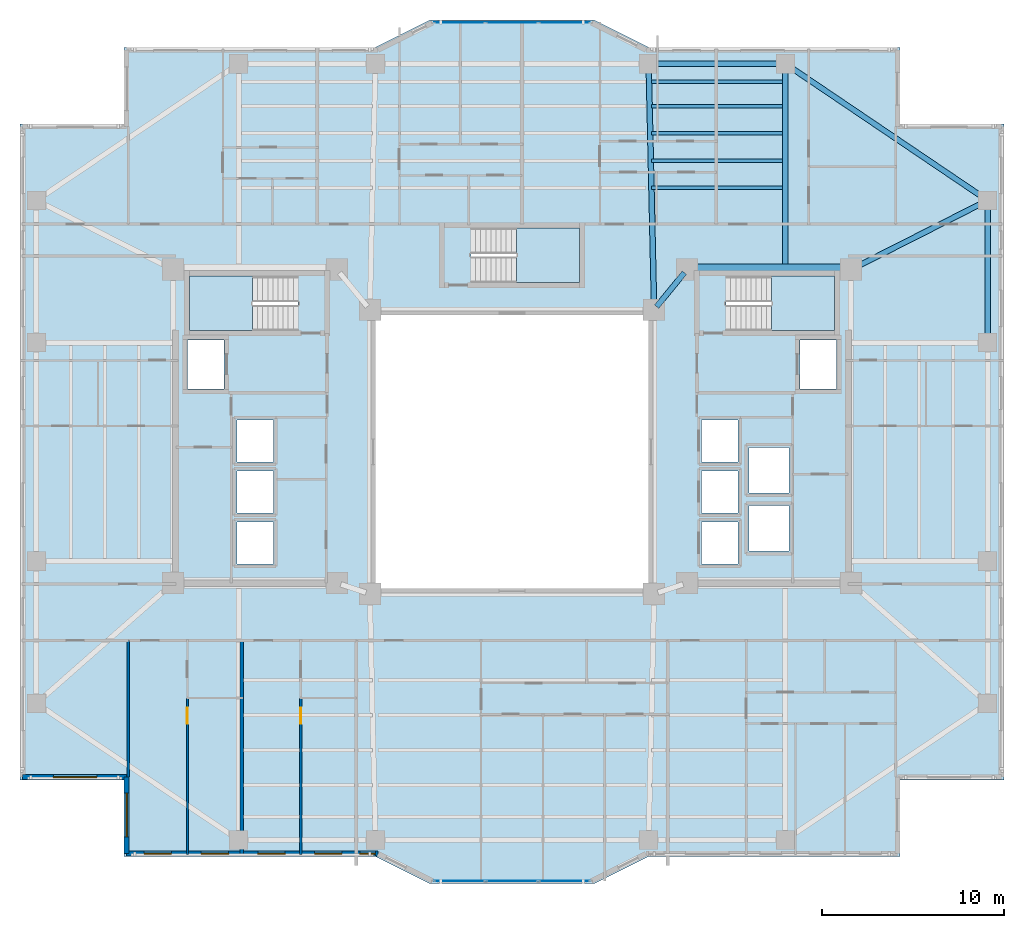
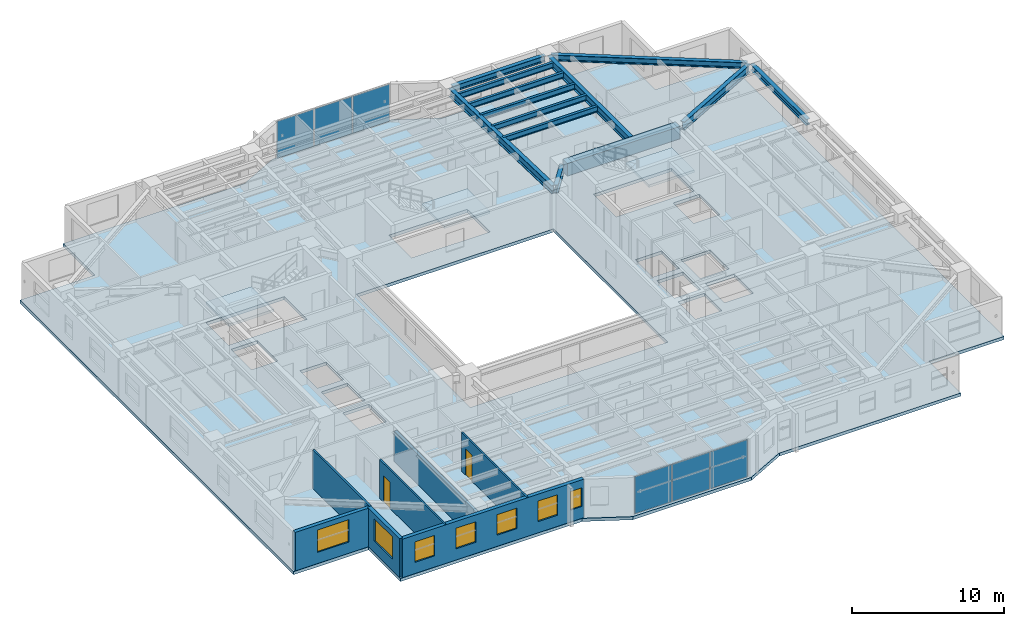
# One storey, part 5 of 19: 13 beams, 7 walls, 7 windows, 6 plates, 4 slabs, 2 doors, 9 openings, 5 elements without a shape of their own.
"""IFC4 building model written with IfcOpenShell, lengths in metres."""

from ifc_helpers import new_model, si_unit, direction, frame, frame_2d, origin, origin_2d, place, context, subcontext, project, spatial, polyline, rectangle, i_section, outline, extrude, material, layer, layer_set, material_profile, profile_set, type_object, element, fill, aggregate, save


model = new_model("IFC4")

# Units and contexts
model_context = context("Model", 3, precision=1e-05, world=origin(), true_north=direction((0.0, 1.0)))
body_context = subcontext(model_context, "Body", "Model", "MODEL_VIEW")
ifc_project = project(units=[si_unit("LENGTHUNIT", "METRE"), si_unit("AREAUNIT", "SQUARE_METRE"), si_unit("VOLUMEUNIT", "CUBIC_METRE"), si_unit("PLANEANGLEUNIT", "RADIAN"), si_unit("MASSUNIT", "GRAM", prefix="KILO")], contexts=[model_context])

# Site, building, storey
site_placement = place(None, origin())
site = spatial("IfcSite", under=ifc_project, at=site_placement, CompositionType="ELEMENT")
building_placement = place(site_placement, origin())
building = spatial("IfcBuilding", under=site, at=building_placement, Name="Tarnavaz Court Tower", CompositionType="ELEMENT")
storey_placement = place(building_placement, frame((0.0, 0.0, 111.800048828125)))
storey = spatial("IfcBuildingStorey", under=building, at=storey_placement, Name="L30", CompositionType="ELEMENT", Elevation=111.800048828125)

# Beams
ifc_material_1 = material(Name="Concrete C60/75", Category="concrete")
ifc_material_profile_1 = material_profile(ifc_material_1, rectangle(XDim=0.60009765625, YDim=1.0, at=origin_2d()), Name="RC 600X1000")
ifc_profile_set_1 = profile_set([ifc_material_profile_1], Name="Concrete C60/75")
beam_type_1 = type_object("IfcBeamType", Name="BM-CB1000", PredefinedType="LINTEL", material=ifc_profile_set_1)
beam_1_placement = place(storey_placement, frame((18.3798828125, 10.0, 2.599853515625), z_axis=(-1.0, 0.0, 0.0), x_axis=(0.0, -1.0, 0.0)))
element("IfcBeam", 1, at=beam_1_placement, inside=storey, type_object=beam_type_1, Name="L30 Beam IN-CE-NO-CE-NI", PredefinedType="LINTEL", context=body_context, shape_type="SweptSolid", body=[
    extrude(rectangle(XDim=0.60009765625, YDim=1.0, at=origin_2d()), origin(), (0.0, 0.0, 1.0), 8.559814453125),
])
ifc_material_2 = material(Name="Steel S355", Category="steel")
ifc_material_profile_2 = material_profile(ifc_material_2, i_section(OverallWidth=0.300048828125, OverallDepth=0.64990234375, WebThickness=0.01611328125, FlangeThickness=0.031005859375, FilletRadius=0.027099609375, at=origin_2d()), Name="HEB 650")
ifc_profile_set_2 = profile_set([ifc_material_profile_2], Name="Steel S355")
beam_type_2 = type_object("IfcBeamType", Name="BM-G-HEB650", PredefinedType="USERDEFINED", material=ifc_profile_set_2)
beam_2_placement = place(storey_placement, frame((9.460693359375, 9.82958984375, 2.77490234375), z_axis=(-0.633282058357, -0.773921077735, 0.0), x_axis=(0.773921077735, -0.633282058357, 0.0)))
element("IfcBeam", 2, at=beam_2_placement, inside=storey, type_object=beam_type_2, Name="L30 Beam IN-CE-NI-IW-NE", ObjectType="GIRDER", PredefinedType="USERDEFINED", context=body_context, shape_type="SweptSolid", body=[
    extrude(i_section(OverallWidth=0.300048828125, OverallDepth=0.64990234375, WebThickness=0.01611328125, FlangeThickness=0.031005859375, FilletRadius=0.027099609375, at=origin_2d()), origin(), (0.0, 0.0, 1.0), 2.402587890625),
])
beam_3_placement = place(storey_placement, frame((7.795166015625, 8.02001953125, 2.77490234375), z_axis=(-0.022221303469, 0.99975307635, 0.0), x_axis=(-0.99975307635, -0.022221303469, 0.0)))
element("IfcBeam", 3, at=beam_3_placement, inside=storey, type_object=beam_type_2, Name="L30 Beam RG-03", ObjectType="GIRDER", PredefinedType="USERDEFINED", context=body_context, shape_type="SweptSolid", body=[
    extrude(i_section(OverallWidth=0.300048828125, OverallDepth=0.64990234375, WebThickness=0.01611328125, FlangeThickness=0.031005859375, FilletRadius=0.027099609375, at=origin_2d()), origin(), (0.0, 0.0, 1.0), 13.063232421875),
])
beam_4_placement = place(storey_placement, frame((15.0, 10.0400390625, 2.77490234375), z_axis=(0.0, 1.0, 0.0), x_axis=(-1.0, 0.0, 0.0)))
element("IfcBeam", 4, at=beam_4_placement, inside=storey, type_object=beam_type_2, Name="L30 Beam RG-04", ObjectType="GIRDER", PredefinedType="USERDEFINED", context=body_context, shape_type="SweptSolid", body=[
    extrude(i_section(OverallWidth=0.300048828125, OverallDepth=0.64990234375, WebThickness=0.01611328125, FlangeThickness=0.031005859375, FilletRadius=0.027099609375, at=origin_2d()), origin(), (0.0, 0.0, 1.0), 11.0400390625),
])
beam_5_placement = place(storey_placement, frame((18.796142578125, 10.099365234375, 2.77490234375), z_axis=(0.892030669981, 0.451974870776, 0.0), x_axis=(-0.451974870776, 0.892030669981, 0.0)))
element("IfcBeam", 5, at=beam_5_placement, inside=storey, type_object=beam_type_2, Name="L30 Beam RG-12", ObjectType="GIRDER", PredefinedType="USERDEFINED", context=body_context, shape_type="SweptSolid", body=[
    extrude(i_section(OverallWidth=0.300048828125, OverallDepth=0.64990234375, WebThickness=0.01611328125, FlangeThickness=0.031005859375, FilletRadius=0.027099609375, at=origin_2d()), origin(), (0.0, 0.0, 1.0), 7.968017578125),
])
ifc_material_profile_3 = material_profile(ifc_material_2, i_section(OverallWidth=0.18994140625, OverallDepth=0.449951171875, WebThickness=0.009521484375, FlangeThickness=0.0146484375, FilletRadius=0.02099609375, at=origin_2d()), Name="IPE 450")
ifc_profile_set_3 = profile_set([ifc_material_profile_3], Name="Steel S355")
beam_type_3 = type_object("IfcBeamType", Name="BM-J-IPE450", PredefinedType="JOIST", material=ifc_profile_set_3)
for number, where, z_axis, x_axis, name in (
    (6, (7.64990234375, 14.493896484375, 2.875), (1.0, 0.0, 0.0), (0.0, 1.0, 0.0), "L30 Beam JN1-3"),
    (7, (7.64990234375, 15.988037109375, 2.875), (1.0, 0.0, 0.0), (0.0, 1.0, 0.0), "L30 Beam JN2-3"),
    (8, (7.64990234375, 17.48193359375, 2.875), (1.0, 0.0, 0.0), (0.0, 1.0, 0.0), "L30 Beam JN3-3"),
    (9, (7.64990234375, 18.97607421875, 2.875), (1.0, 0.0, 0.0), (0.0, 1.0, 0.0), "L30 Beam JN4-3"),
    (10, (7.64990234375, 20.303955078125, 2.875), (1.0, 0.0, 0.0), (0.0, 1.0, 0.0), "L30 Beam JN5-3"),
):
    element("IfcBeam", number, at=place(storey_placement, frame(where, z_axis=z_axis, x_axis=x_axis)), inside=storey, type_object=beam_type_3, Name=name, PredefinedType="JOIST", context=body_context, shape_type="SweptSolid", body=[
        extrude(i_section(OverallWidth=0.18994140625, OverallDepth=0.449951171875, WebThickness=0.009521484375, FlangeThickness=0.0146484375, FilletRadius=0.02099609375, at=origin_2d()), origin(), (0.0, 0.0, 1.0), 7.2001953125),
    ])
ifc_material_profile_4 = material_profile(ifc_material_2, i_section(OverallWidth=0.300048828125, OverallDepth=0.489990234375, WebThickness=0.011962890625, FlangeThickness=0.02294921875, FilletRadius=0.027099609375, at=origin_2d()), Name="HEA 500")
ifc_profile_set_4 = profile_set([ifc_material_profile_4], Name="Steel S355")
beam_type_4 = type_object("IfcBeamType", Name="BM-SP-HEA500", PredefinedType="SPANDREL", material=ifc_profile_set_4)
beam_6_placement = place(storey_placement, frame((7.719970703125, 21.300048828125, 2.85498046875), z_axis=(1.0, 0.0, 0.0), x_axis=(0.0, 1.0, 0.0)))
element("IfcBeam", 11, at=beam_6_placement, inside=storey, type_object=beam_type_4, Name="L30 Beam PR-PN-3-PN-4", PredefinedType="SPANDREL", context=body_context, shape_type="SweptSolid", body=[
    extrude(i_section(OverallWidth=0.300048828125, OverallDepth=0.489990234375, WebThickness=0.011962890625, FlangeThickness=0.02294921875, FilletRadius=0.027099609375, at=origin_2d()), origin(), (0.0, 0.0, 1.0), 7.06005859375),
])
beam_7_placement = place(storey_placement, frame((26.10009765625, 6.219970703125, 2.85498046875), z_axis=(0.0, 1.0, 0.0), x_axis=(-1.0, 0.0, 0.0)))
element("IfcBeam", 12, at=beam_7_placement, inside=storey, type_object=beam_type_4, Name="L30 Beam PR-PE-3-PE-4", PredefinedType="SPANDREL", context=body_context, shape_type="SweptSolid", body=[
    extrude(i_section(OverallWidth=0.300048828125, OverallDepth=0.489990234375, WebThickness=0.011962890625, FlangeThickness=0.02294921875, FilletRadius=0.027099609375, at=origin_2d()), origin(), (0.0, 0.0, 1.0), 7.360107421875),
])
beam_8_placement = place(storey_placement, frame((15.182373046875, 21.1767578125, 2.85498046875), z_axis=(0.828587314918, -0.559859858854, 0.0), x_axis=(0.559859858854, 0.828587314918, 0.0)))
element("IfcBeam", 13, at=beam_8_placement, inside=storey, type_object=beam_type_4, Name="L30 Beam PR-PN-4-PE-4", PredefinedType="SPANDREL", context=body_context, shape_type="SweptSolid", body=[
    extrude(i_section(OverallWidth=0.300048828125, OverallDepth=0.489990234375, WebThickness=0.011962890625, FlangeThickness=0.02294921875, FilletRadius=0.027099609375, at=origin_2d()), origin(), (0.0, 0.0, 1.0), 12.956298828125),
])

# Curtain wall, plates
ifc_material_3 = material(Name="Anodised Aluminium 6063-T6 and Solar Low-E Glazing", Category="aluminium")
ifc_layer_1 = layer(ifc_material_3, 0.179931640625)
ifc_layer_set_1 = layer_set([ifc_layer_1], Name="Anodised Aluminium 6063-T6 and Solar Low-E Glazing")
curtain_wall_type = type_object("IfcCurtainWallType", Name="CW-SYS-02", PredefinedType="NOTDEFINED", material=ifc_layer_set_1)
curtain_wall_1_placement = place(storey_placement, origin())
curtain_wall_1 = element("IfcCurtainWall", 14, at=curtain_wall_1_placement, inside=storey, type_object=curtain_wall_type, Name="L30 Iwan Prow Curtain Wall 7", PredefinedType="NOTDEFINED")
ifc_material_4 = material(Name="Double-Glazed Solar Low-E Glass", Category="glass")
ifc_layer_2 = layer(ifc_material_4, 0.028076171875)
ifc_layer_set_2 = layer_set([ifc_layer_2], Name="Double-Glazed Solar Low-E Glass")
plate_type = type_object("IfcPlateType", Name="CW-PAN-GLZ28", PredefinedType="CURTAIN_PANEL", material=ifc_layer_set_2)
plate_1_placement = place(storey_placement, frame((-2.88134765625, 23.550048828125, 0.06494140625), z_axis=(0.0, 0.0, 1.0), x_axis=(1.0, 0.0, 0.0)))
plate_1 = element("IfcPlate", 15, at=plate_1_placement, type_object=plate_type, Name="CW panel 1.1", PredefinedType="CURTAIN_PANEL", context=body_context, shape_type="SweptSolid", body=[
    extrude(rectangle(XDim=2.78759765625, YDim=0.028076171875, at=origin_2d()), origin(), (0.0, 0.0, 1.0), 2.969970703125),
])
plate_2_placement = place(storey_placement, frame((0.0, 23.550048828125, 0.06494140625), z_axis=(0.0, 0.0, 1.0), x_axis=(1.0, 0.0, 0.0)))
plate_2 = element("IfcPlate", 16, at=plate_2_placement, type_object=plate_type, Name="CW panel 2.1", PredefinedType="CURTAIN_PANEL", context=body_context, shape_type="SweptSolid", body=[
    extrude(rectangle(XDim=2.824951171875, YDim=0.028076171875, at=origin_2d()), origin(), (0.0, 0.0, 1.0), 2.969970703125),
])
plate_3_placement = place(storey_placement, frame((2.88134765625, 23.550048828125, 0.06494140625), z_axis=(0.0, 0.0, 1.0), x_axis=(1.0, 0.0, 0.0)))
plate_3 = element("IfcPlate", 17, at=plate_3_placement, type_object=plate_type, Name="CW panel 3.1", PredefinedType="CURTAIN_PANEL", context=body_context, shape_type="SweptSolid", body=[
    extrude(rectangle(XDim=2.78759765625, YDim=0.028076171875, at=origin_2d()), origin(), (0.0, 0.0, 1.0), 2.969970703125),
])
aggregate(curtain_wall_1, [plate_1, plate_2, plate_3])

curtain_wall_2_placement = place(storey_placement, origin())
curtain_wall_2 = element("IfcCurtainWall", 18, at=curtain_wall_2_placement, inside=storey, type_object=curtain_wall_type, Name="L30 Iwan Prow Curtain Wall 17", PredefinedType="NOTDEFINED")
plate_4_placement = place(storey_placement, frame((2.88134765625, -23.550048828125, 0.06494140625), z_axis=(0.0, 0.0, 1.0), x_axis=(-1.0, 0.0, 0.0)))
plate_4 = element("IfcPlate", 19, at=plate_4_placement, type_object=plate_type, Name="CW panel 1.1", PredefinedType="CURTAIN_PANEL", context=body_context, shape_type="SweptSolid", body=[
    extrude(rectangle(XDim=2.78759765625, YDim=0.028076171875, at=origin_2d()), origin(), (0.0, 0.0, 1.0), 2.969970703125),
])
plate_5_placement = place(storey_placement, frame((0.0, -23.550048828125, 0.06494140625), z_axis=(0.0, 0.0, 1.0), x_axis=(-1.0, 0.0, 0.0)))
plate_5 = element("IfcPlate", 20, at=plate_5_placement, type_object=plate_type, Name="CW panel 2.1", PredefinedType="CURTAIN_PANEL", context=body_context, shape_type="SweptSolid", body=[
    extrude(rectangle(XDim=2.824951171875, YDim=0.028076171875, at=origin_2d()), origin(), (0.0, 0.0, 1.0), 2.969970703125),
])
plate_6_placement = place(storey_placement, frame((-2.88134765625, -23.550048828125, 0.06494140625), z_axis=(0.0, 0.0, 1.0), x_axis=(-1.0, 0.0, 0.0)))
plate_6 = element("IfcPlate", 21, at=plate_6_placement, type_object=plate_type, Name="CW panel 3.1", PredefinedType="CURTAIN_PANEL", context=body_context, shape_type="SweptSolid", body=[
    extrude(rectangle(XDim=2.78759765625, YDim=0.028076171875, at=origin_2d()), origin(), (0.0, 0.0, 1.0), 2.969970703125),
])
aggregate(curtain_wall_2, [plate_4, plate_5, plate_6])

# Stair, slab
ifc_material_5 = material(Name="Concrete C40/50", Category="concrete")
stair_type = type_object("IfcStairType", Name="ST-TWR-20R", PredefinedType="HALF_TURN_STAIR", material=ifc_material_5)
stair_1_placement = place(storey_placement, origin())
stair_1 = element("IfcStair", 22, at=stair_1_placement, inside=storey, type_object=stair_type, Name="L30 West Core Pressurized Exit Stair ST-W1", PredefinedType="HALF_TURN_STAIR")
ifc_layer_3 = layer(ifc_material_5, 0.199951171875)
ifc_layer_set_3 = layer_set([ifc_layer_3], Name="Concrete C40/50")
slab_type_1 = type_object("IfcSlabType", Name="SL-LAND-200", PredefinedType="LANDING", material=ifc_layer_set_3)
slab_1_placement = place(storey_placement, frame((0.0, 0.0, 1.474853515625)))
slab_1 = element("IfcSlab", 23, at=slab_1_placement, type_object=slab_type_1, Name="ST-W1 landing 1", PredefinedType="LANDING", context=body_context, shape_type="SweptSolid", body=[
    extrude(outline(polyline([(-14.239990234375, 9.639892578125), (-17.699951171875, 9.639892578125), (-17.699951171875, 6.64990234375), (-14.239990234375, 6.64990234375), (-14.239990234375, 9.639892578125)])), origin(), (0.0, 0.0, 1.0), 0.2001953125),
])
aggregate(stair_1, [slab_1])

stair_2_placement = place(storey_placement, origin())
stair_2 = element("IfcStair", 24, at=stair_2_placement, inside=storey, type_object=stair_type, Name="L30 East Core Pressurized Exit Stair ST-E1", PredefinedType="HALF_TURN_STAIR")
slab_2_placement = place(storey_placement, frame((0.0, 0.0, 1.474853515625)))
slab_2 = element("IfcSlab", 25, at=slab_2_placement, type_object=slab_type_1, Name="ST-E1 landing 1", PredefinedType="LANDING", context=body_context, shape_type="SweptSolid", body=[
    extrude(outline(polyline([(14.239990234375, 6.64990234375), (17.699951171875, 6.64990234375), (17.699951171875, 9.639892578125), (14.239990234375, 9.639892578125), (14.239990234375, 6.64990234375)])), origin(), (0.0, 0.0, 1.0), 0.2001953125),
])
aggregate(stair_2, [slab_2])

stair_3_placement = place(storey_placement, origin())
stair_3 = element("IfcStair", 26, at=stair_3_placement, inside=storey, type_object=stair_type, Name="L30 North Ring Pressurized Exit Stair ST-N1", PredefinedType="HALF_TURN_STAIR")
slab_3_placement = place(storey_placement, frame((0.0, 0.0, 1.474853515625)))
slab_3 = element("IfcSlab", 27, at=slab_3_placement, type_object=slab_type_1, Name="ST-N1 landing 1", PredefinedType="LANDING", context=body_context, shape_type="SweptSolid", body=[
    extrude(outline(polyline([(0.239990234375, 9.300048828125), (3.699951171875, 9.300048828125), (3.699951171875, 12.2900390625), (0.239990234375, 12.2900390625), (0.239990234375, 9.300048828125)])), origin(), (0.0, 0.0, 1.0), 0.2001953125),
])
aggregate(stair_3, [slab_3])

# Slab
ifc_layer_4 = layer(ifc_material_5, 0.25)
ifc_layer_set_4 = layer_set([ifc_layer_4], Name="Concrete C40/50")
slab_type_2 = type_object("IfcSlabType", Name="SL-RES-250", PredefinedType="FLOOR", material=ifc_layer_set_4)
slab_4_placement = place(storey_placement, frame((0.0, 0.0, -0.25)))
element("IfcSlab", 28, at=slab_4_placement, inside=storey, type_object=slab_type_2, Name="L30 Structural Floor Slab", PredefinedType="FLOOR", context=body_context, shape_type="SweptSolid", body=[
    extrude(outline(polyline([(-21.300048828125, -22.199951171875), (-7.5, -22.199951171875), (-4.5, -23.699951171875), (4.5, -23.699951171875), (7.5, -22.199951171875), (21.300048828125, -22.199951171875), (21.300048828125, -18.0), (27.0, -18.0), (27.0, 18.0), (21.300048828125, 18.0), (21.300048828125, 22.199951171875), (7.5, 22.199951171875), (4.5, 23.699951171875), (-4.5, 23.699951171875), (-7.5, 22.199951171875), (-21.300048828125, 22.199951171875), (-21.300048828125, 18.0), (-27.0, 18.0), (-27.0, -18.0), (-21.300048828125, -18.0), (-21.300048828125, -22.199951171875)]), holes=[polyline([(-7.5, -7.5), (7.5, -7.5), (7.5, 7.5), (-7.5, 7.5), (-7.5, -7.5)]), polyline([(-11.7451171875, 9.639892578125), (-17.699951171875, 9.639892578125), (-17.699951171875, 6.64990234375), (-11.7451171875, 6.64990234375), (-11.7451171875, 9.639892578125)]), polyline([(11.7451171875, 6.64990234375), (17.699951171875, 6.64990234375), (17.699951171875, 9.639892578125), (11.7451171875, 9.639892578125), (11.7451171875, 6.64990234375)]), polyline([(-2.2548828125, 9.300048828125), (3.699951171875, 9.300048828125), (3.699951171875, 12.2900390625), (-2.2548828125, 12.2900390625), (-2.2548828125, 9.300048828125)]), polyline([(-17.800048828125, 3.449951171875), (-15.800048828125, 3.449951171875), (-15.800048828125, 6.14990234375), (-17.800048828125, 6.14990234375), (-17.800048828125, 3.449951171875)]), polyline([(-15.10009765625, -6.14990234375), (-13.10009765625, -6.14990234375), (-13.10009765625, -3.85009765625), (-15.10009765625, -3.85009765625), (-15.10009765625, -6.14990234375)]), polyline([(-15.10009765625, -3.35009765625), (-13.10009765625, -3.35009765625), (-13.10009765625, -1.050048828125), (-15.10009765625, -1.050048828125), (-15.10009765625, -3.35009765625)]), polyline([(-15.10009765625, -0.550048828125), (-13.10009765625, -0.550048828125), (-13.10009765625, 1.75), (-15.10009765625, 1.75), (-15.10009765625, -0.550048828125)]), polyline([(15.800048828125, 3.449951171875), (17.800048828125, 3.449951171875), (17.800048828125, 6.14990234375), (15.800048828125, 6.14990234375), (15.800048828125, 3.449951171875)]), polyline([(10.39990234375, -6.14990234375), (12.39990234375, -6.14990234375), (12.39990234375, -3.85009765625), (10.39990234375, -3.85009765625), (10.39990234375, -6.14990234375)]), polyline([(10.39990234375, -3.35009765625), (12.39990234375, -3.35009765625), (12.39990234375, -1.050048828125), (10.39990234375, -1.050048828125), (10.39990234375, -3.35009765625)]), polyline([(10.39990234375, -0.550048828125), (12.39990234375, -0.550048828125), (12.39990234375, 1.75), (10.39990234375, 1.75), (10.39990234375, -0.550048828125)]), polyline([(13.0, -5.449951171875), (15.199951171875, -5.449951171875), (15.199951171875, -2.949951171875), (13.0, -2.949951171875), (13.0, -5.449951171875)]), polyline([(13.0, -2.25), (15.199951171875, -2.25), (15.199951171875, 0.25), (13.0, 0.25), (13.0, -2.25)])]), origin(), (0.0, 0.0, 1.0), 0.25),
])

# Wall, opening, window
ifc_material_6 = material(Name="Precast Concrete C40/50", Category="concrete")
ifc_layer_5 = layer(ifc_material_6, 0.280029296875)
ifc_layer_set_5 = layer_set([ifc_layer_5], Name="Precast Concrete C40/50")
wall_type_1 = type_object("IfcWallType", Name="WL-EXT-280", PredefinedType="SOLIDWALL", material=ifc_layer_set_5)
wall_1_placement = place(storey_placement, frame((-21.14990234375, -17.85009765625, 0.0), z_axis=(0.0, 0.0, 1.0), x_axis=(-1.0, 0.0, 0.0)))
wall_1 = element("IfcWall", 29, at=wall_1_placement, inside=storey, type_object=wall_type_1, Name="L30 Exterior Terracotta Facade Wall 01", PredefinedType="SOLIDWALL", context=body_context, shape_type="SweptSolid", body=[
    extrude(rectangle(XDim=5.7001953125, YDim=0.280029296875, at=frame_2d((2.85009765625, 0.0))), origin(), (0.0, 0.0, 1.0), 3.099853515625),
])
opening_1_placement = place(wall_1_placement, frame((1.625, 0.0, 0.89990234375)))
opening_1 = element("IfcOpeningElement", 30, at=opening_1_placement, cuts=wall_1, Name="Opening W06", PredefinedType="OPENING", context=body_context, shape_type="SweptSolid", body=[
    extrude(rectangle(XDim=2.39990234375, YDim=1.800048828125, at=frame_2d((1.199951171875, 0.89990234375))), frame((0.0, 0.14990234375, 0.0), z_axis=(0.0, -1.0, 0.0), x_axis=(1.0, 0.0, 0.0)), (0.0, 0.0, 1.0), 0.300048828125),
])
window_type_1 = type_object("IfcWindowType", Name="WN-APT-2400", PartitioningType="TRIPLE_PANEL_VERTICAL", PredefinedType="WINDOW", material=ifc_material_4)
window_1_placement = place(opening_1_placement, origin())
window_1 = element("IfcWindow", 31, at=window_1_placement, inside=storey, type_object=window_type_1, Name="L30 South-West Corner Reading Room Window", OverallHeight=1.800048828125, OverallWidth=2.39990234375, PartitioningType="SINGLE_PANEL", PredefinedType="WINDOW", context=body_context, shape_type="SweptSolid", body=[
    extrude(rectangle(XDim=2.39990234375, YDim=1.800048828125, at=frame_2d((1.199951171875, 0.89990234375))), frame((0.0, 0.030029296875, 0.0), z_axis=(0.0, -1.0, 0.0), x_axis=(1.0, 0.0, 0.0)), (0.0, 0.0, 1.0), 0.06005859375),
])
fill(opening_1, window_1)

# Wall, openings, windows
wall_2_placement = place(storey_placement, frame((-7.35009765625, -22.050048828125, 0.0), z_axis=(0.0, 0.0, 1.0), x_axis=(-1.0, 0.0, 0.0)))
wall_2 = element("IfcWall", 32, at=wall_2_placement, inside=storey, type_object=wall_type_1, Name="L30 Exterior Terracotta Facade Wall 19", PredefinedType="SOLIDWALL", context=body_context, shape_type="SweptSolid", body=[
    extrude(rectangle(XDim=13.7998046875, YDim=0.280029296875, at=frame_2d((6.89990234375, 0.0))), origin(), (0.0, 0.0, 1.0), 3.099853515625),
])
opening_2_placement = place(wall_2_placement, frame((0.14697265625, 0.0, 0.949951171875)))
opening_2 = element("IfcOpeningElement", 33, at=opening_2_placement, cuts=wall_2, Name="Opening W15", PredefinedType="OPENING", context=body_context, shape_type="SweptSolid", body=[
    extrude(rectangle(XDim=0.85009765625, YDim=1.5, at=frame_2d((0.425048828125, 0.75))), frame((0.0, 0.14990234375, 0.0), z_axis=(0.0, -1.0, 0.0), x_axis=(1.0, 0.0, 0.0)), (0.0, 0.0, 1.0), 0.300048828125),
])
opening_3_placement = place(wall_2_placement, frame((1.98486328125, 0.0, 0.89990234375)))
opening_3 = element("IfcOpeningElement", 34, at=opening_3_placement, cuts=wall_2, Name="Opening W03", PredefinedType="OPENING", context=body_context, shape_type="SweptSolid", body=[
    extrude(rectangle(XDim=1.5, YDim=1.64990234375, at=frame_2d((0.75, 0.824951171875))), frame((0.0, 0.14990234375, 0.0), z_axis=(0.0, -1.0, 0.0), x_axis=(1.0, 0.0, 0.0)), (0.0, 0.0, 1.0), 0.300048828125),
])
opening_4_placement = place(wall_2_placement, frame((5.09619140625, 0.0, 0.89990234375)))
opening_4 = element("IfcOpeningElement", 35, at=opening_4_placement, cuts=wall_2, Name="Opening W03", PredefinedType="OPENING", context=body_context, shape_type="SweptSolid", body=[
    extrude(rectangle(XDim=1.5, YDim=1.64990234375, at=frame_2d((0.75, 0.824951171875))), frame((0.0, 0.14990234375, 0.0), z_axis=(0.0, -1.0, 0.0), x_axis=(1.0, 0.0, 0.0)), (0.0, 0.0, 1.0), 0.300048828125),
])
opening_5_placement = place(wall_2_placement, frame((8.20751953125, 0.0, 0.89990234375)))
opening_5 = element("IfcOpeningElement", 36, at=opening_5_placement, cuts=wall_2, Name="Opening W03", PredefinedType="OPENING", context=body_context, shape_type="SweptSolid", body=[
    extrude(rectangle(XDim=1.5, YDim=1.64990234375, at=frame_2d((0.75, 0.824951171875))), frame((0.0, 0.14990234375, 0.0), z_axis=(0.0, -1.0, 0.0), x_axis=(1.0, 0.0, 0.0)), (0.0, 0.0, 1.0), 0.300048828125),
])
opening_6_placement = place(wall_2_placement, frame((11.34375, 0.0, 0.89990234375)))
opening_6 = element("IfcOpeningElement", 37, at=opening_6_placement, cuts=wall_2, Name="Opening W03", PredefinedType="OPENING", context=body_context, shape_type="SweptSolid", body=[
    extrude(rectangle(XDim=1.5, YDim=1.64990234375, at=frame_2d((0.75, 0.824951171875))), frame((0.0, 0.14990234375, 0.0), z_axis=(0.0, -1.0, 0.0), x_axis=(1.0, 0.0, 0.0)), (0.0, 0.0, 1.0), 0.300048828125),
])
window_type_2 = type_object("IfcWindowType", Name="WN-APT-1500", PartitioningType="DOUBLE_PANEL_VERTICAL", PredefinedType="WINDOW", material=ifc_material_4)
window_2_placement = place(opening_3_placement, origin())
window_2 = element("IfcWindow", 38, at=window_2_placement, inside=storey, type_object=window_type_2, Name="L30 Flat 06 Kitchen Window", OverallHeight=1.64990234375, OverallWidth=1.5, PartitioningType="SINGLE_PANEL", PredefinedType="WINDOW", context=body_context, shape_type="SweptSolid", body=[
    extrude(rectangle(XDim=1.5, YDim=1.64990234375, at=frame_2d((0.75, 0.824951171875))), frame((0.0, 0.030029296875, 0.0), z_axis=(0.0, -1.0, 0.0), x_axis=(1.0, 0.0, 0.0)), (0.0, 0.0, 1.0), 0.06005859375),
])
fill(opening_3, window_2)
window_3_placement = place(opening_4_placement, origin())
window_3 = element("IfcWindow", 39, at=window_3_placement, inside=storey, type_object=window_type_2, Name="L30 Flat 06 Studio Living and Sleeping Room Window", OverallHeight=1.64990234375, OverallWidth=1.5, PartitioningType="SINGLE_PANEL", PredefinedType="WINDOW", context=body_context, shape_type="SweptSolid", body=[
    extrude(rectangle(XDim=1.5, YDim=1.64990234375, at=frame_2d((0.75, 0.824951171875))), frame((0.0, 0.030029296875, 0.0), z_axis=(0.0, -1.0, 0.0), x_axis=(1.0, 0.0, 0.0)), (0.0, 0.0, 1.0), 0.06005859375),
])
fill(opening_4, window_3)
window_4_placement = place(opening_5_placement, origin())
window_4 = element("IfcWindow", 40, at=window_4_placement, inside=storey, type_object=window_type_2, Name="L30 Flat 05 Kitchen Window", OverallHeight=1.64990234375, OverallWidth=1.5, PartitioningType="SINGLE_PANEL", PredefinedType="WINDOW", context=body_context, shape_type="SweptSolid", body=[
    extrude(rectangle(XDim=1.5, YDim=1.64990234375, at=frame_2d((0.75, 0.824951171875))), frame((0.0, 0.030029296875, 0.0), z_axis=(0.0, -1.0, 0.0), x_axis=(1.0, 0.0, 0.0)), (0.0, 0.0, 1.0), 0.06005859375),
])
fill(opening_5, window_4)
window_5_placement = place(opening_6_placement, origin())
window_5 = element("IfcWindow", 41, at=window_5_placement, inside=storey, type_object=window_type_2, Name="L30 Flat 05 Studio Living and Sleeping Room Window", OverallHeight=1.64990234375, OverallWidth=1.5, PartitioningType="SINGLE_PANEL", PredefinedType="WINDOW", context=body_context, shape_type="SweptSolid", body=[
    extrude(rectangle(XDim=1.5, YDim=1.64990234375, at=frame_2d((0.75, 0.824951171875))), frame((0.0, 0.030029296875, 0.0), z_axis=(0.0, -1.0, 0.0), x_axis=(1.0, 0.0, 0.0)), (0.0, 0.0, 1.0), 0.06005859375),
])
fill(opening_6, window_5)
window_type_3 = type_object("IfcWindowType", Name="WN-APT-850", PartitioningType="SINGLE_PANEL", PredefinedType="WINDOW", material=ifc_material_4)
window_6_placement = place(opening_2_placement, origin())
window_6 = element("IfcWindow", 42, at=window_6_placement, inside=storey, type_object=window_type_3, Name="L30 Flat 08 Living and Dining Room Window", OverallHeight=1.5, OverallWidth=0.85009765625, PartitioningType="SINGLE_PANEL", PredefinedType="WINDOW", context=body_context, shape_type="SweptSolid", body=[
    extrude(rectangle(XDim=0.85009765625, YDim=1.5, at=frame_2d((0.425048828125, 0.75))), frame((0.0, 0.030029296875, 0.0), z_axis=(0.0, -1.0, 0.0), x_axis=(1.0, 0.0, 0.0)), (0.0, 0.0, 1.0), 0.06005859375),
])
fill(opening_2, window_6)

# Wall, opening, window
wall_3_placement = place(storey_placement, frame((-21.14990234375, -22.050048828125, 0.0), z_axis=(0.0, 0.0, 1.0), x_axis=(0.0, 1.0, 0.0)))
wall_3 = element("IfcWall", 43, at=wall_3_placement, inside=storey, type_object=wall_type_1, Name="L30 Exterior Terracotta Facade Wall 20", PredefinedType="SOLIDWALL", context=body_context, shape_type="SweptSolid", body=[
    extrude(rectangle(XDim=4.199951171875, YDim=0.280029296875, at=frame_2d((2.10009765625, 0.0))), origin(), (0.0, 0.0, 1.0), 3.099853515625),
])
opening_7_placement = place(wall_3_placement, frame((0.917724609375, 0.0, 0.89990234375)))
opening_7 = element("IfcOpeningElement", 44, at=opening_7_placement, cuts=wall_3, Name="Opening W06", PredefinedType="OPENING", context=body_context, shape_type="SweptSolid", body=[
    extrude(rectangle(XDim=2.39990234375, YDim=1.800048828125, at=frame_2d((1.199951171875, 0.89990234375))), frame((0.0, 0.14990234375, 0.0), z_axis=(0.0, -1.0, 0.0), x_axis=(1.0, 0.0, 0.0)), (0.0, 0.0, 1.0), 0.300048828125),
])
window_7_placement = place(opening_7_placement, origin())
window_7 = element("IfcWindow", 45, at=window_7_placement, inside=storey, type_object=window_type_1, Name="L30 Flat 05 Studio Living and Sleeping Room Window", OverallHeight=1.800048828125, OverallWidth=2.39990234375, PartitioningType="SINGLE_PANEL", PredefinedType="WINDOW", context=body_context, shape_type="SweptSolid", body=[
    extrude(rectangle(XDim=2.39990234375, YDim=1.800048828125, at=frame_2d((1.199951171875, 0.89990234375))), frame((0.0, 0.030029296875, 0.0), z_axis=(0.0, -1.0, 0.0), x_axis=(1.0, 0.0, 0.0)), (0.0, 0.0, 1.0), 0.06005859375),
])
fill(opening_7, window_7)

# Wall
ifc_material_7 = material(Name="Autoclaved Aerated Concrete Blockwork", Category="masonry")
ifc_layer_6 = layer(ifc_material_7, 0.199951171875)
ifc_layer_set_6 = layer_set([ifc_layer_6], Name="Autoclaved Aerated Concrete Blockwork")
wall_type_2 = type_object("IfcWallType", Name="WL-FIRE-200", PredefinedType="SOLIDWALL", material=ifc_layer_set_6)
wall_4_placement = place(storey_placement, frame((-14.824951171875, -22.10009765625, 0.0), z_axis=(0.0, 0.0, 1.0), x_axis=(0.0, 1.0, 0.0)))
element("IfcWall", 46, at=wall_4_placement, inside=storey, type_object=wall_type_2, Name="L30 Party Wall 098", PredefinedType="SOLIDWALL", context=body_context, shape_type="SweptSolid", body=[
    extrude(rectangle(XDim=11.75, YDim=0.199951171875, at=frame_2d((5.875, 0.0))), origin(), (0.0, 0.0, 1.0), 2.43505859375),
])

# Wall, opening, door
ifc_material_8 = material(Name="Moisture-Resistant Gypsum Board Partition", Category="masonry")
ifc_layer_7 = layer(ifc_material_8, 0.1201171875)
ifc_layer_set_7 = layer_set([ifc_layer_7], Name="Moisture-Resistant Gypsum Board Partition")
wall_type_3 = type_object("IfcWallType", Name="WL-PART-120", PredefinedType="PARTITIONING", material=ifc_layer_set_7)
wall_5_placement = place(storey_placement, frame((-17.81494140625, -22.10009765625, 0.0), z_axis=(0.0, 0.0, 1.0), x_axis=(0.0, 1.0, 0.0)))
wall_5 = element("IfcWall", 47, at=wall_5_placement, inside=storey, type_object=wall_type_3, Name="L30 Interior Partition 099", PredefinedType="PARTITIONING", context=body_context, shape_type="SweptSolid", body=[
    extrude(rectangle(XDim=8.590087890625, YDim=0.1201171875, at=frame_2d((4.294921875, 0.0))), origin(), (0.0, 0.0, 1.0), 3.099853515625),
])
opening_8_placement = place(wall_5_placement, frame((7.18994140625, 0.0, 0.0)))
opening_8 = element("IfcOpeningElement", 48, at=opening_8_placement, cuts=wall_5, Name="Opening D14", PredefinedType="OPENING", context=body_context, shape_type="SweptSolid", body=[
    extrude(rectangle(XDim=0.8798828125, YDim=2.10009765625, at=frame_2d((0.43994140625, 1.050048828125))), frame((0.0, 0.070068359375, 0.0), z_axis=(0.0, -1.0, 0.0), x_axis=(1.0, 0.0, 0.0)), (0.0, 0.0, 1.0), 0.14013671875),
])
ifc_material_9 = material(Name="Engineered Oak Timber", Category="wood")
door_type = type_object("IfcDoorType", Name="DR-INT-900", OperationType="NOTDEFINED", PredefinedType="DOOR", material=ifc_material_9)
door_1_placement = place(opening_8_placement, origin())
door_1 = element("IfcDoor", 49, at=door_1_placement, inside=storey, type_object=door_type, Name="L30 Flat 05 Kitchen Door", OperationType="SINGLE_SWING_RIGHT", OverallHeight=2.10009765625, OverallWidth=0.8798828125, PredefinedType="DOOR", context=body_context, shape_type="SweptSolid", body=[
    extrude(rectangle(XDim=0.8798828125, YDim=2.10009765625, at=frame_2d((0.43994140625, 1.050048828125))), frame((0.0, 0.02490234375, 0.0), z_axis=(0.0, -1.0, 0.0), x_axis=(1.0, 0.0, 0.0)), (0.0, 0.0, 1.0), 0.050048828125),
])
fill(opening_8, door_1)

wall_6_placement = place(storey_placement, frame((-11.590087890625, -22.10009765625, 0.0), z_axis=(0.0, 0.0, 1.0), x_axis=(0.0, 1.0, 0.0)))
wall_6 = element("IfcWall", 50, at=wall_6_placement, inside=storey, type_object=wall_type_3, Name="L30 Interior Partition 102", PredefinedType="PARTITIONING", context=body_context, shape_type="SweptSolid", body=[
    extrude(rectangle(XDim=8.590087890625, YDim=0.1201171875, at=frame_2d((4.294921875, 0.0))), origin(), (0.0, 0.0, 1.0), 3.099853515625),
])
opening_9_placement = place(wall_6_placement, frame((7.18994140625, 0.0, 0.0)))
opening_9 = element("IfcOpeningElement", 51, at=opening_9_placement, cuts=wall_6, Name="Opening D14", PredefinedType="OPENING", context=body_context, shape_type="SweptSolid", body=[
    extrude(rectangle(XDim=0.8798828125, YDim=2.10009765625, at=frame_2d((0.43994140625, 1.050048828125))), frame((0.0, 0.070068359375, 0.0), z_axis=(0.0, -1.0, 0.0), x_axis=(1.0, 0.0, 0.0)), (0.0, 0.0, 1.0), 0.14013671875),
])
door_2_placement = place(opening_9_placement, origin())
door_2 = element("IfcDoor", 52, at=door_2_placement, inside=storey, type_object=door_type, Name="L30 Flat 06 Kitchen Door", OperationType="SINGLE_SWING_LEFT", OverallHeight=2.10009765625, OverallWidth=0.8798828125, PredefinedType="DOOR", context=body_context, shape_type="SweptSolid", body=[
    extrude(rectangle(XDim=0.8798828125, YDim=2.10009765625, at=frame_2d((0.43994140625, 1.050048828125))), frame((0.0, 0.02490234375, 0.0), z_axis=(0.0, -1.0, 0.0), x_axis=(1.0, 0.0, 0.0)), (0.0, 0.0, 1.0), 0.050048828125),
])
fill(opening_9, door_2)

# Wall
ifc_material_10 = material(Name="Gypsum Plasterboard Acoustic Partition", Category="masonry")
ifc_layer_8 = layer(ifc_material_10, 0.139892578125)
ifc_layer_set_8 = layer_set([ifc_layer_8], Name="Gypsum Plasterboard Acoustic Partition")
wall_type_4 = type_object("IfcWallType", Name="WL-PART-150", PredefinedType="PARTITIONING", material=ifc_layer_set_8)
wall_7_placement = place(storey_placement, frame((-21.050048828125, -17.85009765625, 0.0), z_axis=(0.0, 0.0, 1.0), x_axis=(0.0, 1.0, 0.0)))
element("IfcWall", 53, at=wall_7_placement, inside=storey, type_object=wall_type_4, Name="L30 Interior Partition 126", PredefinedType="PARTITIONING", context=body_context, shape_type="SweptSolid", body=[
    extrude(rectangle(XDim=7.5, YDim=0.139892578125, at=frame_2d((3.75, 0.0))), origin(), (0.0, 0.0, 1.0), 3.099853515625),
])

save(model, "model.ifc")
